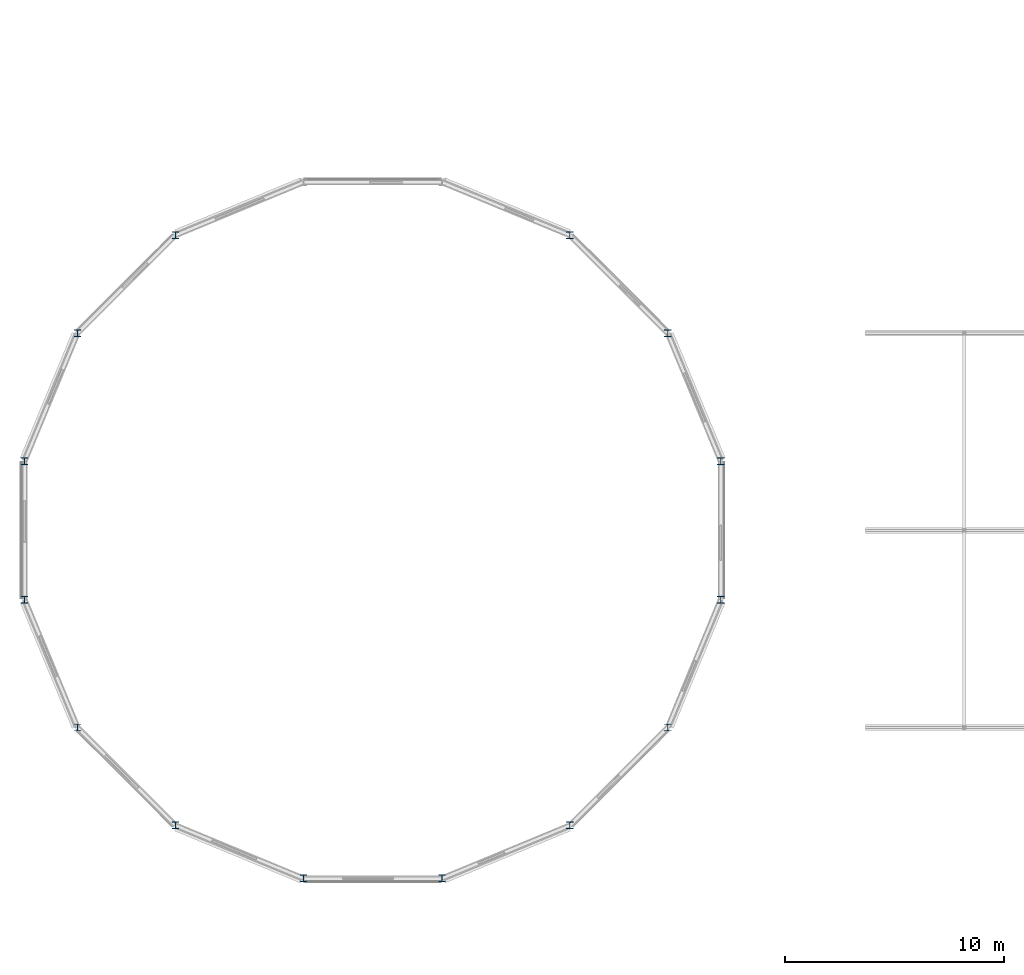
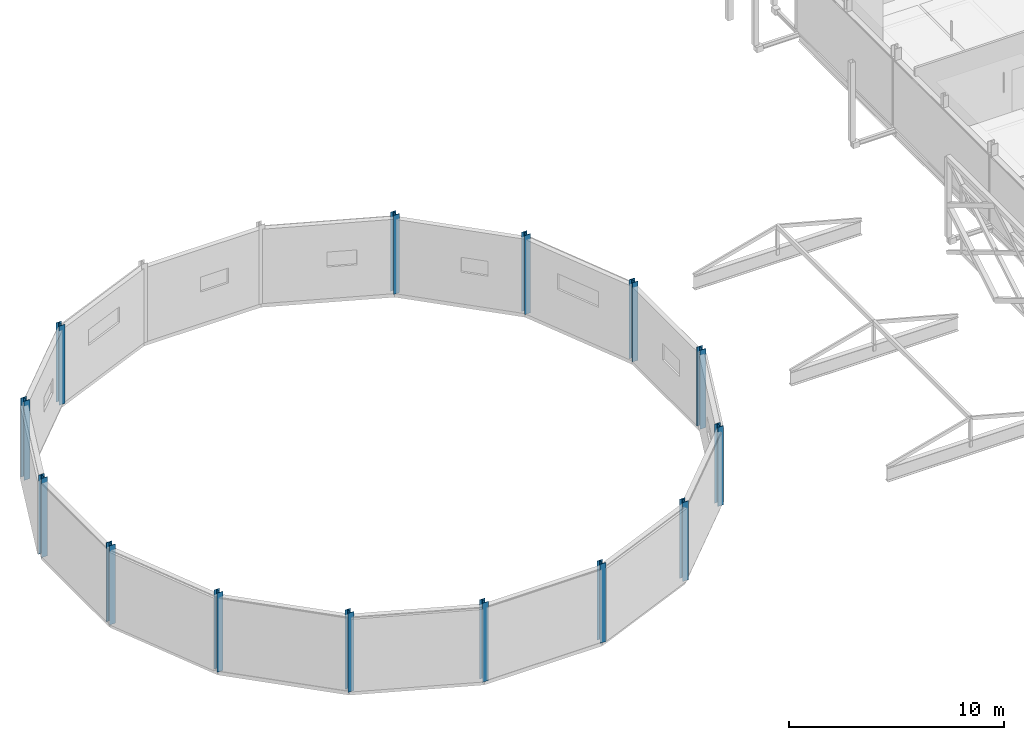
# One storey, part 1 of 89: 14 columns.
"""IFC4 building model written with IfcOpenShell, lengths in metres."""

from ifc_helpers import new_model, si_unit, direction, frame, origin, origin_2d, place, context, subcontext, project, spatial, i_section, extrude, material, material_profile, profile_set, type_object, element, save


model = new_model("IFC4")

# Units and contexts
model_context = context("Model", 3, precision=1e-05, world=origin(), true_north=direction((0.0, 1.0)))
body_context = subcontext(model_context, "Body", "Model", "MODEL_VIEW")
ifc_project = project(units=[si_unit("LENGTHUNIT", "METRE"), si_unit("AREAUNIT", "SQUARE_METRE"), si_unit("VOLUMEUNIT", "CUBIC_METRE"), si_unit("PLANEANGLEUNIT", "RADIAN"), si_unit("MASSUNIT", "GRAM", prefix="KILO"), si_unit("THERMODYNAMICTEMPERATUREUNIT", "KELVIN"), si_unit("POWERUNIT", "WATT")], contexts=[model_context])

# Site, building, storey
site_placement = place(None, origin())
site = spatial("IfcSite", under=ifc_project, at=site_placement, CompositionType="ELEMENT")
building_placement = place(site_placement, origin())
building = spatial("IfcBuilding", under=site, at=building_placement, Name="Tallowbark Science Centre", CompositionType="ELEMENT")
storey_placement = place(building_placement, frame((0.0, 0.0, 14.39990234375)))
storey = spatial("IfcBuildingStorey", under=building, at=storey_placement, Name="L03", CompositionType="ELEMENT", Elevation=14.39990234375)

# Columns
ifc_material = material(Name="Structural Steel Grade 300PLUS (300 MPa)", Category="steel")
ifc_material_profile = material_profile(ifc_material, i_section(OverallWidth=0.307373046875, OverallDepth=0.314697265625, WebThickness=0.011962890625, FlangeThickness=0.018798828125, FilletRadius=0.0166015625, at=origin_2d()), Name="310UC118")
ifc_profile_set = profile_set([ifc_material_profile], Name="Structural Steel Grade 300PLUS (300 MPa)")
column_type = type_object("IfcColumnType", Name="PIL-UC310", PredefinedType="PILASTER", material=ifc_profile_set)
for number, where, z_axis, x_axis, name in (
    (1, (38.388671875, 21.160400390625, 0.0), (0.0, 0.0, 1.0), (1.0, 0.0, 0.0), "Column DRM-P01 L03"),
    (2, (35.9697265625, 27.000244140625, 0.0), (0.0, 0.0, 1.0), (1.0, 0.0, 0.0), "Column DRM-P02 L03"),
    (3, (31.500244140625, 31.4697265625, 0.0), (0.0, 0.0, 1.0), (1.0, 0.0, 0.0), "Column DRM-P03 L03"),
    (4, (13.499755859375, 31.4697265625, 0.0), (0.0, 0.0, 1.0), (1.0, 0.0, 0.0), "Column DRM-P06 L03"),
    (5, (9.0302734375, 27.000244140625, 0.0), (0.0, 0.0, 1.0), (1.0, 0.0, 0.0), "Column DRM-P07 L03"),
    (6, (6.611328125, 21.160400390625, 0.0), (0.0, 0.0, 1.0), (1.0, 0.0, 0.0), "Column DRM-P08 L03"),
    (7, (6.611328125, 14.839599609375, 0.0), (0.0, 0.0, 1.0), (1.0, 0.0, 0.0), "Column DRM-P09 L03"),
    (8, (9.0302734375, 8.999755859375, 0.0), (0.0, 0.0, 1.0), (1.0, 0.0, 0.0), "Column DRM-P10 L03"),
    (9, (13.499755859375, 4.5302734375, 0.0), (0.0, 0.0, 1.0), (1.0, 0.0, 0.0), "Column DRM-P11 L03"),
    (10, (19.339599609375, 2.111328125, 0.0), (0.0, 0.0, 1.0), (1.0, 0.0, 0.0), "Column DRM-P12 L03"),
    (11, (25.660400390625, 2.111328125, 0.0), (0.0, 0.0, 1.0), (1.0, 0.0, 0.0), "Column DRM-P13 L03"),
    (12, (31.500244140625, 4.5302734375, 0.0), (0.0, 0.0, 1.0), (1.0, 0.0, 0.0), "Column DRM-P14 L03"),
    (13, (35.9697265625, 8.999755859375, 0.0), (0.0, 0.0, 1.0), (1.0, 0.0, 0.0), "Column DRM-P15 L03"),
    (14, (38.388671875, 14.839599609375, 0.0), (0.0, 0.0, 1.0), (1.0, 0.0, 0.0), "Column DRM-P16 L03"),
):
    element("IfcColumn", number, at=place(storey_placement, frame(where, z_axis=z_axis, x_axis=x_axis)), inside=storey, type_object=column_type, Name=name, PredefinedType="PILASTER", context=body_context, shape_type="SweptSolid", body=[
        extrude(i_section(OverallWidth=0.307373046875, OverallDepth=0.314697265625, WebThickness=0.011962890625, FlangeThickness=0.018798828125, FilletRadius=0.0166015625, at=origin_2d()), origin(), (0.0, 0.0, 1.0), 4.5),
    ])

save(model, "model.ifc")
